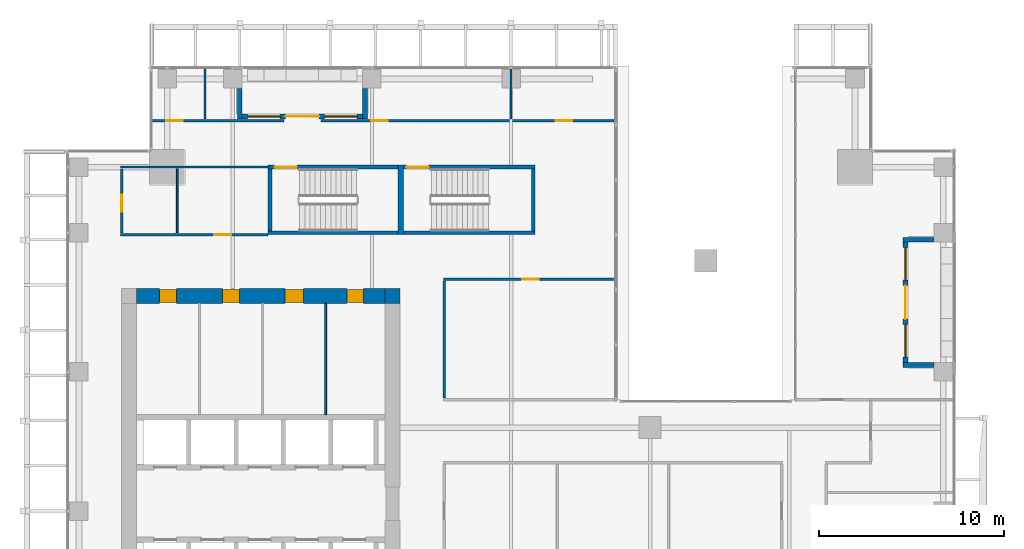
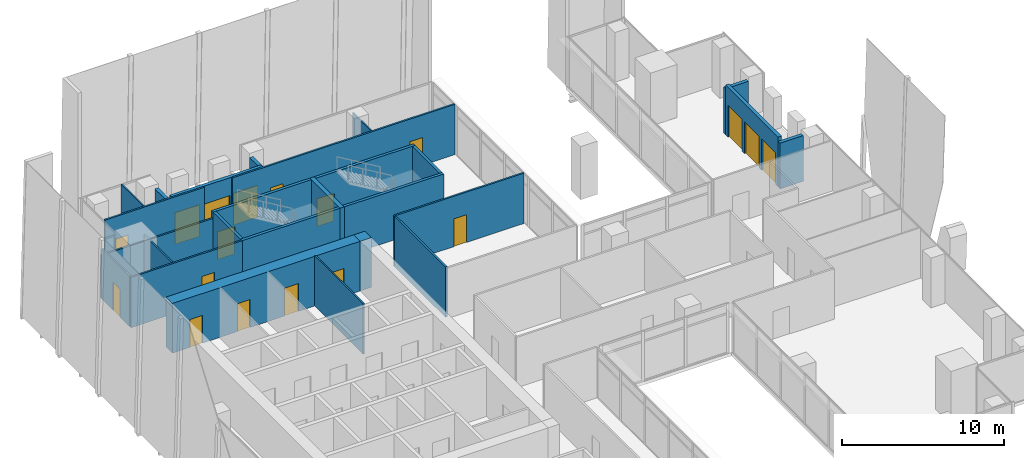
# One storey, part 35 of 40: 26 walls, 14 doors, 4 windows, 18 openings.
"""IFC4 building model written with IfcOpenShell, lengths in metres."""

from ifc_helpers import new_model, si_unit, direction, frame, frame_2d, origin, place, context, subcontext, project, spatial, rectangle, extrude, source, transform, mapped, material, layer, layer_set, type_object, element, fill, save


model = new_model("IFC4")

# Units and contexts
model_context = context("Model", 3, precision=1e-05, world=origin(), true_north=direction((0.0, 1.0)))
body_context = subcontext(model_context, "Body", "Model", "MODEL_VIEW")
ifc_project = project(units=[si_unit("LENGTHUNIT", "METRE"), si_unit("AREAUNIT", "SQUARE_METRE"), si_unit("VOLUMEUNIT", "CUBIC_METRE"), si_unit("PLANEANGLEUNIT", "RADIAN"), si_unit("MASSUNIT", "GRAM", prefix="KILO")], contexts=[model_context])

# Site, building, storey
site_placement = place(None, origin())
site = spatial("IfcSite", under=ifc_project, at=site_placement, CompositionType="ELEMENT")
building_placement = place(site_placement, origin())
building = spatial("IfcBuilding", under=site, at=building_placement, Name="Khomas Fold Tower", CompositionType="ELEMENT")
storey_placement = place(building_placement, frame((0.0, 0.0, 176.699951171875)))
storey = spatial("IfcBuildingStorey", under=building, at=storey_placement, Name="L38", CompositionType="ELEMENT", Elevation=176.699951171875)

# Wall, openings, doors
ifc_material_1 = material(Name="Concrete C60/75", Category="concrete")
ifc_layer_1 = layer(ifc_material_1, 0.800048828125)
ifc_layer_set_1 = layer_set([ifc_layer_1], Name="Concrete C60/75")
wall_type_1 = type_object("IfcWallType", Name="Core wall 800", PredefinedType="SHEAR", material=ifc_layer_set_1)
shared_shape_1 = source(origin(), body_context, "Body", "SweptSolid", [
    extrude(rectangle(XDim=13.39990234375, YDim=0.800048828125, at=frame_2d((6.699951171875, 0.0))), origin(), (0.0, 0.0, 1.0), 3.75),
])
wall_1_placement = place(storey_placement, frame((6.800048828125, 38.60009765625, 0.0), z_axis=(0.0, 0.0, 1.0), x_axis=(1.0, 0.0, 0.0)))
wall_1 = element("IfcWall", 1, at=wall_1_placement, inside=storey, type_object=wall_type_1, Name="Core wall CW-U-N-L35", PredefinedType="SHEAR", context=body_context, shape_type="MappedRepresentation", body=[
    mapped(shared_shape_1, transform((0.0, 0.0, 0.0))),
])
shared_shape_2 = source(origin(), body_context, "Body", "SweptSolid", [
    extrude(rectangle(XDim=0.89990234375, YDim=2.10009765625, at=frame_2d((0.449951171875, 1.050048828125))), frame((0.0, 0.409912109375, 0.0), z_axis=(0.0, -1.0, 0.0), x_axis=(1.0, 0.0, 0.0)), (0.0, 0.0, 1.0), 0.820068359375),
])
opening_1_placement = place(wall_1_placement, frame((1.25, 0.0, 0.0)))
opening_1 = element("IfcOpeningElement", 2, at=opening_1_placement, cuts=wall_1, Name="Opening 0004", PredefinedType="OPENING", context=body_context, shape_type="MappedRepresentation", body=[
    mapped(shared_shape_2, transform((0.0, 0.0, 0.0))),
])
opening_2_placement = place(wall_1_placement, frame((4.64990234375, 0.0, 0.0)))
opening_2 = element("IfcOpeningElement", 3, at=opening_2_placement, cuts=wall_1, Name="Opening 0004", PredefinedType="OPENING", context=body_context, shape_type="MappedRepresentation", body=[
    mapped(shared_shape_2, transform((0.0, 0.0, 0.0))),
])
shared_shape_3 = source(origin(), body_context, "Body", "SweptSolid", [
    extrude(rectangle(XDim=1.0, YDim=2.10009765625, at=frame_2d((0.5, 1.050048828125))), frame((0.0, 0.409912109375, 0.0), z_axis=(0.0, -1.0, 0.0), x_axis=(1.0, 0.0, 0.0)), (0.0, 0.0, 1.0), 0.820068359375),
])
opening_3_placement = place(wall_1_placement, frame((8.0, 0.0, 0.0)))
opening_3 = element("IfcOpeningElement", 4, at=opening_3_placement, cuts=wall_1, Name="Opening 0006", PredefinedType="OPENING", context=body_context, shape_type="MappedRepresentation", body=[
    mapped(shared_shape_3, transform((0.0, 0.0, 0.0))),
])
opening_4_placement = place(wall_1_placement, frame((11.35009765625, 0.0, 0.0)))
opening_4 = element("IfcOpeningElement", 5, at=opening_4_placement, cuts=wall_1, Name="Opening 0008", PredefinedType="OPENING", context=body_context, shape_type="MappedRepresentation", body=[
    mapped(shared_shape_2, transform((0.0, 0.0, 0.0))),
])
ifc_material_2 = material(Name="Timber door leaf", Category="wood")
door_type_1 = type_object("IfcDoorType", Name="WC door 900x2100 right-hand", OperationType="SINGLE_SWING_RIGHT", PredefinedType="DOOR", material=ifc_material_2)
shared_shape_4 = source(origin(), body_context, "Body", "SweptSolid", [
    extrude(rectangle(XDim=0.89990234375, YDim=2.10009765625, at=frame_2d((0.449951171875, 1.050048828125))), frame((0.0, 0.35009765625, 0.0), z_axis=(0.0, -1.0, 0.0), x_axis=(1.0, 0.0, 0.0)), (0.0, 0.0, 1.0), 0.699951171875),
])
door_1_placement = place(opening_1_placement, origin())
door_1 = element("IfcDoor", 6, at=door_1_placement, inside=storey, type_object=door_type_1, Name="WC door", OperationType="SINGLE_SWING_RIGHT", OverallHeight=2.10009765625, OverallWidth=0.89990234375, PredefinedType="DOOR", context=body_context, shape_type="MappedRepresentation", body=[
    mapped(shared_shape_4, transform((0.0, 0.0, 0.0))),
])
fill(opening_1, door_1)
door_2_placement = place(opening_2_placement, origin())
door_2 = element("IfcDoor", 7, at=door_2_placement, inside=storey, type_object=door_type_1, Name="WC door", OperationType="SINGLE_SWING_RIGHT", OverallHeight=2.10009765625, OverallWidth=0.89990234375, PredefinedType="DOOR", context=body_context, shape_type="MappedRepresentation", body=[
    mapped(shared_shape_4, transform((0.0, 0.0, 0.0))),
])
fill(opening_2, door_2)
ifc_material_3 = material(Name="Timber door leaf", Category="wood")
door_type_2 = type_object("IfcDoorType", Name="Door 900x2100 right-hand", OperationType="SINGLE_SWING_RIGHT", PredefinedType="DOOR", material=ifc_material_3)
door_3_placement = place(opening_4_placement, origin())
door_3 = element("IfcDoor", 8, at=door_3_placement, inside=storey, type_object=door_type_2, Name="Door", OperationType="SINGLE_SWING_RIGHT", OverallHeight=2.10009765625, OverallWidth=0.89990234375, PredefinedType="DOOR", context=body_context, shape_type="MappedRepresentation", body=[
    mapped(shared_shape_4, transform((0.0, 0.0, 0.0))),
])
fill(opening_4, door_3)
ifc_material_4 = material(Name="Timber door leaf", Category="wood")
door_type_3 = type_object("IfcDoorType", Name="WC door 1000x2100 right-hand", OperationType="SINGLE_SWING_RIGHT", PredefinedType="DOOR", material=ifc_material_4)
shared_shape_5 = source(origin(), body_context, "Body", "SweptSolid", [
    extrude(rectangle(XDim=1.0, YDim=2.10009765625, at=frame_2d((0.5, 1.050048828125))), frame((0.0, 0.35009765625, 0.0), z_axis=(0.0, -1.0, 0.0), x_axis=(1.0, 0.0, 0.0)), (0.0, 0.0, 1.0), 0.699951171875),
])
door_4_placement = place(opening_3_placement, origin())
door_4 = element("IfcDoor", 9, at=door_4_placement, inside=storey, type_object=door_type_3, Name="WC door", OperationType="SINGLE_SWING_RIGHT", OverallHeight=2.10009765625, OverallWidth=1.0, PredefinedType="DOOR", context=body_context, shape_type="MappedRepresentation", body=[
    mapped(shared_shape_5, transform((0.0, 0.0, 0.0))),
])
fill(opening_3, door_4)

# Wall
ifc_material_5 = material(Name="Concrete C60/75", Category="concrete")
ifc_layer_2 = layer(ifc_material_5, 0.800048828125)
ifc_layer_set_2 = layer_set([ifc_layer_2], Name="Concrete C60/75")
wall_type_2 = type_object("IfcWallType", Name="Core corner wall 800", PredefinedType="SHEAR", material=ifc_layer_set_2)
shared_shape_6 = source(origin(), body_context, "Body", "SweptSolid", [
    extrude(rectangle(XDim=0.800048828125, YDim=0.800048828125, at=frame_2d((0.39990234375, 0.0))), origin(), (0.0, 0.0, 1.0), 3.75),
])
wall_2_placement = place(storey_placement, frame((20.199951171875, 38.60009765625, 0.0), z_axis=(0.0, 0.0, 1.0), x_axis=(1.0, 0.0, 0.0)))
element("IfcWall", 10, at=wall_2_placement, inside=storey, type_object=wall_type_2, Name="Core wall CW-U-NE-L35", PredefinedType="SHEAR", context=body_context, shape_type="MappedRepresentation", body=[
    mapped(shared_shape_6, transform((0.0, 0.0, 0.0))),
])

# Wall, opening, door
ifc_material_6 = material(Name="Concrete C50/60", Category="concrete")
ifc_layer_3 = layer(ifc_material_6, 0.199951171875)
ifc_layer_set_3 = layer_set([ifc_layer_3], Name="Concrete C50/60")
wall_type_3 = type_object("IfcWallType", Name="Stair wall 200", PredefinedType="SHEAR", material=ifc_layer_set_3)
shared_shape_7 = source(origin(), body_context, "Body", "SweptSolid", [
    extrude(rectangle(XDim=7.0, YDim=0.199951171875, at=frame_2d((3.5, 0.0))), origin(), (0.0, 0.0, 1.0), 3.75),
])
wall_3_placement = place(storey_placement, frame((13.89990234375, 45.550048828125, 0.0), z_axis=(0.0, 0.0, 1.0), x_axis=(1.0, 0.0, 0.0)))
wall_3 = element("IfcWall", 11, at=wall_3_placement, inside=storey, type_object=wall_type_3, Name="Stair wall SW-ST1-N", PredefinedType="SHEAR", context=body_context, shape_type="MappedRepresentation", body=[
    mapped(shared_shape_7, transform((0.0, 0.0, 0.0))),
])
shared_shape_8 = source(origin(), body_context, "Body", "SweptSolid", [
    extrude(rectangle(XDim=1.199951171875, YDim=2.10009765625, at=frame_2d((0.60009765625, 1.050048828125))), frame((0.0, 0.10986328125, 0.0), z_axis=(0.0, -1.0, 0.0), x_axis=(1.0, 0.0, 0.0)), (0.0, 0.0, 1.0), 0.219970703125),
])
opening_5_placement = place(wall_3_placement, frame((0.35009765625, 0.0, 0.0)))
opening_5 = element("IfcOpeningElement", 12, at=opening_5_placement, cuts=wall_3, Name="Opening SD-ST1", PredefinedType="OPENING", context=body_context, shape_type="MappedRepresentation", body=[
    mapped(shared_shape_8, transform((0.0, 0.0, 0.0))),
])
ifc_material_7 = material(Name="Steel door leaf", Category="steel")
door_type_4 = type_object("IfcDoorType", Name="Stair door 1200x2100 left-hand", OperationType="SINGLE_SWING_LEFT", PredefinedType="DOOR", material=ifc_material_7)
shared_shape_9 = source(origin(), body_context, "Body", "SweptSolid", [
    extrude(rectangle(XDim=1.199951171875, YDim=2.10009765625, at=frame_2d((0.60009765625, 1.050048828125))), frame((0.0, 0.02490234375, 0.0), z_axis=(0.0, -1.0, 0.0), x_axis=(1.0, 0.0, 0.0)), (0.0, 0.0, 1.0), 0.050048828125),
])
door_5_placement = place(opening_5_placement, origin())
door_5 = element("IfcDoor", 13, at=door_5_placement, inside=storey, type_object=door_type_4, Name="Stair door", OperationType="SINGLE_SWING_LEFT", OverallHeight=2.10009765625, OverallWidth=1.199951171875, PredefinedType="DOOR", context=body_context, shape_type="MappedRepresentation", body=[
    mapped(shared_shape_9, transform((0.0, 0.0, 0.0))),
])
fill(opening_5, door_5)

# Wall
wall_4_placement = place(storey_placement, frame((13.89990234375, 42.0, 0.0), z_axis=(0.0, 0.0, 1.0), x_axis=(1.0, 0.0, 0.0)))
element("IfcWall", 14, at=wall_4_placement, inside=storey, type_object=wall_type_3, Name="Stair wall SW-ST1-S", PredefinedType="SHEAR", context=body_context, shape_type="MappedRepresentation", body=[
    mapped(shared_shape_7, transform((0.0, 0.0, 0.0))),
])

# Wall, opening, door
shared_shape_10 = source(origin(), body_context, "Body", "SweptSolid", [
    extrude(rectangle(XDim=7.10009765625, YDim=0.199951171875, at=frame_2d((3.550048828125, 0.0))), origin(), (0.0, 0.0, 1.0), 3.75),
])
wall_5_placement = place(storey_placement, frame((21.199951171875, 45.550048828125, 0.0), z_axis=(0.0, 0.0, 1.0), x_axis=(1.0, 0.0, 0.0)))
wall_5 = element("IfcWall", 15, at=wall_5_placement, inside=storey, type_object=wall_type_3, Name="Stair wall SW-ST3-N", PredefinedType="SHEAR", context=body_context, shape_type="MappedRepresentation", body=[
    mapped(shared_shape_10, transform((0.0, 0.0, 0.0))),
])
opening_6_placement = place(wall_5_placement, frame((0.14990234375, 0.0, 0.0)))
opening_6 = element("IfcOpeningElement", 16, at=opening_6_placement, cuts=wall_5, Name="Opening SD-ST3", PredefinedType="OPENING", context=body_context, shape_type="MappedRepresentation", body=[
    mapped(shared_shape_8, transform((0.0, 0.0, 0.0))),
])
door_6_placement = place(opening_6_placement, origin())
door_6 = element("IfcDoor", 17, at=door_6_placement, inside=storey, type_object=door_type_4, Name="Stair door", OperationType="SINGLE_SWING_LEFT", OverallHeight=2.10009765625, OverallWidth=1.199951171875, PredefinedType="DOOR", context=body_context, shape_type="MappedRepresentation", body=[
    mapped(shared_shape_9, transform((0.0, 0.0, 0.0))),
])
fill(opening_6, door_6)

# Walls
wall_6_placement = place(storey_placement, frame((21.199951171875, 42.0, 0.0), z_axis=(0.0, 0.0, 1.0), x_axis=(1.0, 0.0, 0.0)))
element("IfcWall", 18, at=wall_6_placement, inside=storey, type_object=wall_type_3, Name="Stair wall SW-ST3-S", PredefinedType="SHEAR", context=body_context, shape_type="MappedRepresentation", body=[
    mapped(shared_shape_10, transform((0.0, 0.0, 0.0))),
])
ifc_material_8 = material(Name="Concrete C50/60", Category="concrete")
ifc_layer_4 = layer(ifc_material_8, 0.300048828125)
ifc_layer_set_4 = layer_set([ifc_layer_4], Name="Concrete C50/60")
wall_type_4 = type_object("IfcWallType", Name="Stair wall 300", PredefinedType="SHEAR", material=ifc_layer_set_4)
shared_shape_11 = source(origin(), body_context, "Body", "SweptSolid", [
    extrude(rectangle(XDim=3.75, YDim=0.300048828125, at=frame_2d((1.875, 0.0))), origin(), (0.0, 0.0, 1.0), 3.75),
])
wall_7_placement = place(storey_placement, frame((21.050048828125, 41.89990234375, 0.0), z_axis=(0.0, 0.0, 1.0), x_axis=(0.0, 1.0, 0.0)))
element("IfcWall", 19, at=wall_7_placement, inside=storey, type_object=wall_type_4, Name="Stair wall SW-ST1-E", PredefinedType="SHEAR", context=body_context, shape_type="MappedRepresentation", body=[
    mapped(shared_shape_11, transform((0.0, 0.0, 0.0))),
])
shared_shape_12 = source(origin(), body_context, "Body", "SweptSolid", [
    extrude(rectangle(XDim=3.349853515625, YDim=0.199951171875, at=frame_2d((1.6748046875, 0.0))), origin(), (0.0, 0.0, 1.0), 3.75),
])
for number, where, z_axis, x_axis, name in (
    (20, (14.0, 42.10009765625, 0.0), (0.0, 0.0, 1.0), (0.0, 1.0, 0.0), "Stair wall SW-ST1-W"),
    (21, (28.199951171875, 42.10009765625, 0.0), (0.0, 0.0, 1.0), (0.0, 1.0, 0.0), "Stair wall SW-ST3-E"),
):
    element("IfcWall", number, at=place(storey_placement, frame(where, z_axis=z_axis, x_axis=x_axis)), inside=storey, type_object=wall_type_3, Name=name, PredefinedType="SHEAR", context=body_context, shape_type="MappedRepresentation", body=[
        mapped(shared_shape_12, transform((0.0, 0.0, 0.0))),
    ])

# Wall, openings, door, windows
ifc_material_9 = material(Name="Natural stone", Category="masonry")
ifc_layer_5 = layer(ifc_material_9, 0.0400390625)
ifc_material_10 = material(Name="Mineral wool insulation", Category="insulation")
ifc_layer_6 = layer(ifc_material_10, 0.10009765625)
ifc_material_11 = material(Name="Masonry", Category="masonry")
ifc_layer_7 = layer(ifc_material_11, 0.110107421875)
ifc_layer_set_5 = layer_set([ifc_layer_5, ifc_layer_6, ifc_layer_7], Name="Stone-faced insulated masonry")
wall_type_5 = type_object("IfcWallType", Name="BL-Balcony wall", PredefinedType="SOLIDWALL", material=ifc_layer_set_5)
shared_shape_13 = source(origin(), body_context, "Body", "SweptSolid", [
    extrude(rectangle(XDim=6.5, YDim=0.25, at=frame_2d((3.25, 0.0))), origin(), (0.0, 0.0, 1.0), 3.75),
])
wall_8_placement = place(storey_placement, frame((48.27490234375, 35.0, 0.0), z_axis=(0.0, 0.0, 1.0), x_axis=(0.0, 1.0, 0.0)))
wall_8 = element("IfcWall", 22, at=wall_8_placement, inside=storey, type_object=wall_type_5, Name="Balcony wall BAL-L38-E4", PredefinedType="SOLIDWALL", context=body_context, shape_type="MappedRepresentation", body=[
    mapped(shared_shape_13, transform((0.0, 0.0, 0.0))),
])
shared_shape_14 = source(origin(), body_context, "Body", "SweptSolid", [
    extrude(rectangle(XDim=1.75, YDim=2.39990234375, at=frame_2d((0.875, 1.199951171875))), frame((0.0, 0.135009765625, 0.0), z_axis=(0.0, -1.0, 0.0), x_axis=(1.0, 0.0, 0.0)), (0.0, 0.0, 1.0), 0.27001953125),
])
opening_7_placement = place(wall_8_placement, frame((0.300048828125, 0.0, 0.0)))
opening_7 = element("IfcOpeningElement", 23, at=opening_7_placement, cuts=wall_8, Name="Opening BL-W3", PredefinedType="OPENING", context=body_context, shape_type="MappedRepresentation", body=[
    mapped(shared_shape_14, transform((0.0, 0.0, 0.0))),
])
opening_8_placement = place(wall_8_placement, frame((4.449951171875, 0.0, 0.0)))
opening_8 = element("IfcOpeningElement", 24, at=opening_8_placement, cuts=wall_8, Name="Opening BL-W3", PredefinedType="OPENING", context=body_context, shape_type="MappedRepresentation", body=[
    mapped(shared_shape_14, transform((0.0, 0.0, 0.0))),
])
shared_shape_15 = source(origin(), body_context, "Body", "SweptSolid", [
    extrude(rectangle(XDim=1.800048828125, YDim=2.39990234375, at=frame_2d((0.89990234375, 1.199951171875))), frame((0.0, 0.135009765625, 0.0), z_axis=(0.0, -1.0, 0.0), x_axis=(1.0, 0.0, 0.0)), (0.0, 0.0, 1.0), 0.27001953125),
])
opening_9_placement = place(wall_8_placement, frame((2.35009765625, 0.0, 0.0)))
opening_9 = element("IfcOpeningElement", 25, at=opening_9_placement, cuts=wall_8, Name="Opening BD381", PredefinedType="OPENING", context=body_context, shape_type="MappedRepresentation", body=[
    mapped(shared_shape_15, transform((0.0, 0.0, 0.0))),
])
ifc_material_12 = material(Name="Aluminium framed double glazing", Category="aluminium")
door_type_5 = type_object("IfcDoorType", Name="BL-Glazed balcony door 1800 x 2400", OperationType="DOUBLE_DOOR_DOUBLE_SWING", PredefinedType="DOOR", material=ifc_material_12)
shared_shape_16 = source(origin(), body_context, "Body", "SweptSolid", [
    extrude(rectangle(XDim=1.800048828125, YDim=2.39990234375, at=frame_2d((0.89990234375, 1.199951171875))), frame((0.0, 0.02490234375, 0.0), z_axis=(0.0, -1.0, 0.0), x_axis=(1.0, 0.0, 0.0)), (0.0, 0.0, 1.0), 0.050048828125),
])
door_7_placement = place(opening_9_placement, origin())
door_7 = element("IfcDoor", 26, at=door_7_placement, inside=storey, type_object=door_type_5, Name="Balcony door BD381", OperationType="DOUBLE_DOOR_DOUBLE_SWING", OverallHeight=2.39990234375, OverallWidth=1.800048828125, PredefinedType="DOOR", context=body_context, shape_type="MappedRepresentation", body=[
    mapped(shared_shape_16, transform((0.0, 0.0, 0.0))),
])
fill(opening_9, door_7)
ifc_material_13 = material(Name="Aluminium framed double glazing", Category="aluminium")
window_type = type_object("IfcWindowType", Name="BL-Fixed glazing 1750 x 2400", PartitioningType="SINGLE_PANEL", PredefinedType="WINDOW", material=ifc_material_13)
shared_shape_17 = source(origin(), body_context, "Body", "SweptSolid", [
    extrude(rectangle(XDim=1.75, YDim=2.39990234375, at=frame_2d((0.875, 1.199951171875))), frame((0.0, 0.030029296875, 0.0), z_axis=(0.0, -1.0, 0.0), x_axis=(1.0, 0.0, 0.0)), (0.0, 0.0, 1.0), 0.06005859375),
])
window_1_placement = place(opening_7_placement, origin())
window_1 = element("IfcWindow", 27, at=window_1_placement, inside=storey, type_object=window_type, Name="Balcony glazing BAL-L38-E4-1", OverallHeight=2.39990234375, OverallWidth=1.75, PartitioningType="SINGLE_PANEL", PredefinedType="WINDOW", context=body_context, shape_type="MappedRepresentation", body=[
    mapped(shared_shape_17, transform((0.0, 0.0, 0.0))),
])
fill(opening_7, window_1)
window_2_placement = place(opening_8_placement, origin())
window_2 = element("IfcWindow", 28, at=window_2_placement, inside=storey, type_object=window_type, Name="Balcony glazing BAL-L38-E4-2", OverallHeight=2.39990234375, OverallWidth=1.75, PartitioningType="SINGLE_PANEL", PredefinedType="WINDOW", context=body_context, shape_type="MappedRepresentation", body=[
    mapped(shared_shape_17, transform((0.0, 0.0, 0.0))),
])
fill(opening_8, window_2)

wall_9_placement = place(storey_placement, frame((12.5, 48.27490234375, 0.0), z_axis=(0.0, 0.0, 1.0), x_axis=(1.0, 0.0, 0.0)))
wall_9 = element("IfcWall", 29, at=wall_9_placement, inside=storey, type_object=wall_type_5, Name="Balcony wall BAL-L38-N1", PredefinedType="SOLIDWALL", context=body_context, shape_type="MappedRepresentation", body=[
    mapped(shared_shape_13, transform((0.0, 0.0, 0.0))),
])
opening_10_placement = place(wall_9_placement, frame((0.300048828125, 0.0, 0.0)))
opening_10 = element("IfcOpeningElement", 30, at=opening_10_placement, cuts=wall_9, Name="Opening BL-W3", PredefinedType="OPENING", context=body_context, shape_type="MappedRepresentation", body=[
    mapped(shared_shape_14, transform((0.0, 0.0, 0.0))),
])
opening_11_placement = place(wall_9_placement, frame((4.449951171875, 0.0, 0.0)))
opening_11 = element("IfcOpeningElement", 31, at=opening_11_placement, cuts=wall_9, Name="Opening BL-W3", PredefinedType="OPENING", context=body_context, shape_type="MappedRepresentation", body=[
    mapped(shared_shape_14, transform((0.0, 0.0, 0.0))),
])
opening_12_placement = place(wall_9_placement, frame((2.35009765625, 0.0, 0.0)))
opening_12 = element("IfcOpeningElement", 32, at=opening_12_placement, cuts=wall_9, Name="Opening BD382", PredefinedType="OPENING", context=body_context, shape_type="MappedRepresentation", body=[
    mapped(shared_shape_15, transform((0.0, 0.0, 0.0))),
])
door_8_placement = place(opening_12_placement, origin())
door_8 = element("IfcDoor", 33, at=door_8_placement, inside=storey, type_object=door_type_5, Name="Balcony door BD382", OperationType="DOUBLE_DOOR_DOUBLE_SWING", OverallHeight=2.39990234375, OverallWidth=1.800048828125, PredefinedType="DOOR", context=body_context, shape_type="MappedRepresentation", body=[
    mapped(shared_shape_16, transform((0.0, 0.0, 0.0))),
])
fill(opening_12, door_8)
window_3_placement = place(opening_10_placement, origin())
window_3 = element("IfcWindow", 34, at=window_3_placement, inside=storey, type_object=window_type, Name="Balcony glazing BAL-L38-N1-1", OverallHeight=2.39990234375, OverallWidth=1.75, PartitioningType="SINGLE_PANEL", PredefinedType="WINDOW", context=body_context, shape_type="MappedRepresentation", body=[
    mapped(shared_shape_17, transform((0.0, 0.0, 0.0))),
])
fill(opening_10, window_3)
window_4_placement = place(opening_11_placement, origin())
window_4 = element("IfcWindow", 35, at=window_4_placement, inside=storey, type_object=window_type, Name="Balcony glazing BAL-L38-N1-2", OverallHeight=2.39990234375, OverallWidth=1.75, PartitioningType="SINGLE_PANEL", PredefinedType="WINDOW", context=body_context, shape_type="MappedRepresentation", body=[
    mapped(shared_shape_17, transform((0.0, 0.0, 0.0))),
])
fill(opening_11, window_4)

# Walls
shared_shape_18 = source(origin(), body_context, "Body", "SweptSolid", [
    extrude(rectangle(XDim=1.650146484375, YDim=0.25, at=frame_2d((0.8251953125, 0.0))), origin(), (0.0, 0.0, 1.0), 3.449951171875),
])
for number, where, z_axis, x_axis, name in (
    (36, (49.800048828125, 34.875, 0.0), (0.0, 0.0, 1.0), (-1.0, 0.0, 0.0), "Balcony return wall BAL-L38-E4-lo"),
    (37, (49.800048828125, 41.625, 0.0), (0.0, 0.0, 1.0), (-1.0, 0.0, 0.0), "Balcony return wall BAL-L38-E4-hi"),
    (38, (12.375, 49.800048828125, 0.0), (0.0, 0.0, 1.0), (0.0, -1.0, 0.0), "Balcony return wall BAL-L38-N1-lo"),
    (39, (19.125, 49.800048828125, 0.0), (0.0, 0.0, 1.0), (0.0, -1.0, 0.0), "Balcony return wall BAL-L38-N1-hi"),
):
    element("IfcWall", number, at=place(storey_placement, frame(where, z_axis=z_axis, x_axis=x_axis)), inside=storey, type_object=wall_type_5, Name=name, PredefinedType="SOLIDWALL", context=body_context, shape_type="MappedRepresentation", body=[
        mapped(shared_shape_18, transform((0.0, 0.0, 0.0))),
    ])
ifc_material_14 = material(Name="Plasterboard partition")
ifc_layer_8 = layer(ifc_material_14, 0.125)
ifc_layer_set_6 = layer_set([ifc_layer_8], Name="Plasterboard partition")
wall_type_6 = type_object("IfcWallType", Name="Partition PW2 125", PredefinedType="PARTITIONING", material=ifc_layer_set_6)
shared_shape_19 = source(origin(), body_context, "Body", "SweptSolid", [
    extrude(rectangle(XDim=7.949951171875, YDim=0.125, at=frame_2d((3.97509765625, 0.0))), origin(), (0.0, 0.0, 1.0), 3.25),
])
wall_10_placement = place(storey_placement, frame((5.949951171875, 45.550048828125, 0.0), z_axis=(0.0, 0.0, 1.0), x_axis=(1.0, 0.0, 0.0)))
element("IfcWall", 40, at=wall_10_placement, inside=storey, type_object=wall_type_6, Name="Partition", PredefinedType="PARTITIONING", context=body_context, shape_type="MappedRepresentation", body=[
    mapped(shared_shape_19, transform((0.0, 0.0, 0.0))),
])
ifc_material_15 = material(Name="Plasterboard partition")
ifc_layer_9 = layer(ifc_material_15, 0.10009765625)
ifc_layer_set_7 = layer_set([ifc_layer_9], Name="Plasterboard partition")
wall_type_7 = type_object("IfcWallType", Name="Partition PW1 100", PredefinedType="PARTITIONING", material=ifc_layer_set_7)
shared_shape_20 = source(origin(), body_context, "Body", "SweptSolid", [
    extrude(rectangle(XDim=6.0, YDim=0.10009765625, at=frame_2d((3.0, 0.0))), origin(), (0.0, 0.0, 1.0), 3.800048828125),
])
wall_11_placement = place(storey_placement, frame((17.0, 32.199951171875, 0.0), z_axis=(0.0, 0.0, 1.0), x_axis=(0.0, 1.0, 0.0)))
element("IfcWall", 41, at=wall_11_placement, inside=storey, type_object=wall_type_7, Name="Partition", PredefinedType="PARTITIONING", context=body_context, shape_type="MappedRepresentation", body=[
    mapped(shared_shape_20, transform((0.0, 0.0, 0.0))),
])
shared_shape_21 = source(origin(), body_context, "Body", "SweptSolid", [
    extrude(rectangle(XDim=6.2998046875, YDim=0.125, at=frame_2d((3.14990234375, 0.0))), origin(), (0.0, 0.0, 1.0), 3.800048828125),
])
wall_12_placement = place(storey_placement, frame((23.39990234375, 33.10009765625, 0.0), z_axis=(0.0, 0.0, 1.0), x_axis=(0.0, 1.0, 0.0)))
element("IfcWall", 42, at=wall_12_placement, inside=storey, type_object=wall_type_6, Name="Partition", PredefinedType="PARTITIONING", context=body_context, shape_type="MappedRepresentation", body=[
    mapped(shared_shape_21, transform((0.0, 0.0, 0.0))),
])

# Wall, opening, door
shared_shape_22 = source(origin(), body_context, "Body", "SweptSolid", [
    extrude(rectangle(XDim=7.949951171875, YDim=0.125, at=frame_2d((3.97509765625, 0.0))), origin(), (0.0, 0.0, 1.0), 3.800048828125),
])
wall_13_placement = place(storey_placement, frame((5.949951171875, 41.89990234375, 0.0), z_axis=(0.0, 0.0, 1.0), x_axis=(1.0, 0.0, 0.0)))
wall_13 = element("IfcWall", 43, at=wall_13_placement, inside=storey, type_object=wall_type_6, Name="Partition", PredefinedType="PARTITIONING", context=body_context, shape_type="MappedRepresentation", body=[
    mapped(shared_shape_22, transform((0.0, 0.0, 0.0))),
])
shared_shape_23 = source(origin(), body_context, "Body", "SweptSolid", [
    extrude(rectangle(XDim=0.89990234375, YDim=2.10009765625, at=frame_2d((0.449951171875, 1.050048828125))), frame((0.0, 0.072509765625, 0.0), z_axis=(0.0, -1.0, 0.0), x_axis=(1.0, 0.0, 0.0)), (0.0, 0.0, 1.0), 0.14501953125),
])
opening_13_placement = place(wall_13_placement, frame((5.050048828125, 0.0, 0.0)))
opening_13 = element("IfcOpeningElement", 44, at=opening_13_placement, cuts=wall_13, Name="Opening 0007", PredefinedType="OPENING", context=body_context, shape_type="MappedRepresentation", body=[
    mapped(shared_shape_23, transform((0.0, 0.0, 0.0))),
])
ifc_material_16 = material(Name="Timber door leaf", Category="wood")
door_type_6 = type_object("IfcDoorType", Name="Door 900x2100 left-hand", OperationType="SINGLE_SWING_LEFT", PredefinedType="DOOR", material=ifc_material_16)
shared_shape_24 = source(origin(), body_context, "Body", "SweptSolid", [
    extrude(rectangle(XDim=0.89990234375, YDim=2.10009765625, at=frame_2d((0.449951171875, 1.050048828125))), frame((0.0, 0.02490234375, 0.0), z_axis=(0.0, -1.0, 0.0), x_axis=(1.0, 0.0, 0.0)), (0.0, 0.0, 1.0), 0.050048828125),
])
door_9_placement = place(opening_13_placement, origin())
door_9 = element("IfcDoor", 45, at=door_9_placement, inside=storey, type_object=door_type_6, Name="Door", OperationType="SINGLE_SWING_LEFT", OverallHeight=2.10009765625, OverallWidth=0.89990234375, PredefinedType="DOOR", context=body_context, shape_type="MappedRepresentation", body=[
    mapped(shared_shape_24, transform((0.0, 0.0, 0.0))),
])
fill(opening_13, door_9)

shared_shape_25 = source(origin(), body_context, "Body", "SweptSolid", [
    extrude(rectangle(XDim=3.449951171875, YDim=0.125, at=frame_2d((1.72509765625, 0.0))), origin(), (0.0, 0.0, 1.0), 3.800048828125),
])
wall_14_placement = place(storey_placement, frame((6.0, 42.0, 0.0), z_axis=(0.0, 0.0, 1.0), x_axis=(0.0, 1.0, 0.0)))
wall_14 = element("IfcWall", 46, at=wall_14_placement, inside=storey, type_object=wall_type_6, Name="Partition", PredefinedType="PARTITIONING", context=body_context, shape_type="MappedRepresentation", body=[
    mapped(shared_shape_25, transform((0.0, 0.0, 0.0))),
])
opening_14_placement = place(wall_14_placement, frame((1.14990234375, 0.0, 0.0)))
opening_14 = element("IfcOpeningElement", 47, at=opening_14_placement, cuts=wall_14, Name="Opening 0007", PredefinedType="OPENING", context=body_context, shape_type="MappedRepresentation", body=[
    mapped(shared_shape_23, transform((0.0, 0.0, 0.0))),
])
door_10_placement = place(opening_14_placement, origin())
door_10 = element("IfcDoor", 48, at=door_10_placement, inside=storey, type_object=door_type_6, Name="Door", OperationType="SINGLE_SWING_LEFT", OverallHeight=2.10009765625, OverallWidth=0.89990234375, PredefinedType="DOOR", context=body_context, shape_type="MappedRepresentation", body=[
    mapped(shared_shape_24, transform((0.0, 0.0, 0.0))),
])
fill(opening_14, door_10)

# Walls
shared_shape_26 = source(origin(), body_context, "Body", "SweptSolid", [
    extrude(rectangle(XDim=3.449951171875, YDim=0.10009765625, at=frame_2d((1.72509765625, 0.0))), origin(), (0.0, 0.0, 1.0), 3.800048828125),
])
wall_15_placement = place(storey_placement, frame((9.0, 42.0, 0.0), z_axis=(0.0, 0.0, 1.0), x_axis=(0.0, 1.0, 0.0)))
element("IfcWall", 49, at=wall_15_placement, inside=storey, type_object=wall_type_7, Name="Partition", PredefinedType="PARTITIONING", context=body_context, shape_type="MappedRepresentation", body=[
    mapped(shared_shape_26, transform((0.0, 0.0, 0.0))),
])
shared_shape_27 = source(origin(), body_context, "Body", "SweptSolid", [
    extrude(rectangle(XDim=2.7001953125, YDim=0.10009765625, at=frame_2d((1.35009765625, 0.0))), origin(), (0.0, 0.0, 1.0), 3.420166015625),
])
wall_16_placement = place(storey_placement, frame((27.0, 48.14990234375, 0.0), z_axis=(0.0, 0.0, 1.0), x_axis=(0.0, 1.0, 0.0)))
element("IfcWall", 50, at=wall_16_placement, inside=storey, type_object=wall_type_7, Name="Partition", PredefinedType="PARTITIONING", context=body_context, shape_type="MappedRepresentation", body=[
    mapped(shared_shape_27, transform((0.0, 0.0, 0.0))),
])

# Wall, opening, door
shared_shape_28 = source(origin(), body_context, "Body", "SweptSolid", [
    extrude(rectangle(XDim=9.25, YDim=0.125, at=frame_2d((4.625, 0.0))), origin(), (0.0, 0.0, 1.0), 3.800048828125),
])
wall_17_placement = place(storey_placement, frame((23.35009765625, 39.5, 0.0), z_axis=(0.0, 0.0, 1.0), x_axis=(1.0, 0.0, 0.0)))
wall_17 = element("IfcWall", 51, at=wall_17_placement, inside=storey, type_object=wall_type_6, Name="Partition", PredefinedType="PARTITIONING", context=body_context, shape_type="MappedRepresentation", body=[
    mapped(shared_shape_28, transform((0.0, 0.0, 0.0))),
])
opening_15_placement = place(wall_17_placement, frame((4.25, 0.0, 0.0)))
opening_15 = element("IfcOpeningElement", 52, at=opening_15_placement, cuts=wall_17, Name="Opening 0008", PredefinedType="OPENING", context=body_context, shape_type="MappedRepresentation", body=[
    mapped(shared_shape_23, transform((0.0, 0.0, 0.0))),
])
door_11_placement = place(opening_15_placement, origin())
door_11 = element("IfcDoor", 53, at=door_11_placement, inside=storey, type_object=door_type_2, Name="Door", OperationType="SINGLE_SWING_RIGHT", OverallHeight=2.10009765625, OverallWidth=0.89990234375, PredefinedType="DOOR", context=body_context, shape_type="MappedRepresentation", body=[
    mapped(shared_shape_24, transform((0.0, 0.0, 0.0))),
])
fill(opening_15, door_11)

# Wall
shared_shape_29 = source(origin(), body_context, "Body", "SweptSolid", [
    extrude(rectangle(XDim=2.7001953125, YDim=0.10009765625, at=frame_2d((1.35009765625, 0.0))), origin(), (0.0, 0.0, 1.0), 3.800048828125),
])
wall_18_placement = place(storey_placement, frame((10.5, 48.14990234375, 0.0), z_axis=(0.0, 0.0, 1.0), x_axis=(0.0, 1.0, 0.0)))
element("IfcWall", 54, at=wall_18_placement, inside=storey, type_object=wall_type_7, Name="Partition", PredefinedType="PARTITIONING", context=body_context, shape_type="MappedRepresentation", body=[
    mapped(shared_shape_29, transform((0.0, 0.0, 0.0))),
])

# Wall, opening, door
shared_shape_30 = source(origin(), body_context, "Body", "SweptSolid", [
    extrude(rectangle(XDim=7.10009765625, YDim=0.125, at=frame_2d((3.550048828125, 0.0))), origin(), (0.0, 0.0, 1.0), 3.800048828125),
])
wall_19_placement = place(storey_placement, frame((7.64990234375, 48.050048828125, 0.0), z_axis=(0.0, 0.0, 1.0), x_axis=(1.0, 0.0, 0.0)))
wall_19 = element("IfcWall", 55, at=wall_19_placement, inside=storey, type_object=wall_type_6, Name="Partition", PredefinedType="PARTITIONING", context=body_context, shape_type="MappedRepresentation", body=[
    mapped(shared_shape_30, transform((0.0, 0.0, 0.0))),
])
opening_16_placement = place(wall_19_placement, frame((0.75, 0.0, 0.0)))
opening_16 = element("IfcOpeningElement", 56, at=opening_16_placement, cuts=wall_19, Name="Opening 0008", PredefinedType="OPENING", context=body_context, shape_type="MappedRepresentation", body=[
    mapped(shared_shape_23, transform((0.0, 0.0, 0.0))),
])
door_12_placement = place(opening_16_placement, origin())
door_12 = element("IfcDoor", 57, at=door_12_placement, inside=storey, type_object=door_type_2, Name="Door", OperationType="SINGLE_SWING_RIGHT", OverallHeight=2.10009765625, OverallWidth=0.89990234375, PredefinedType="DOOR", context=body_context, shape_type="MappedRepresentation", body=[
    mapped(shared_shape_24, transform((0.0, 0.0, 0.0))),
])
fill(opening_16, door_12)

# Wall, openings, doors
shared_shape_31 = source(origin(), body_context, "Body", "SweptSolid", [
    extrude(rectangle(XDim=15.85009765625, YDim=0.125, at=frame_2d((7.925048828125, 0.0))), origin(), (0.0, 0.0, 1.0), 3.800048828125),
])
wall_20_placement = place(storey_placement, frame((16.75, 48.050048828125, 0.0), z_axis=(0.0, 0.0, 1.0), x_axis=(1.0, 0.0, 0.0)))
wall_20 = element("IfcWall", 58, at=wall_20_placement, inside=storey, type_object=wall_type_6, Name="Partition", PredefinedType="PARTITIONING", context=body_context, shape_type="MappedRepresentation", body=[
    mapped(shared_shape_31, transform((0.0, 0.0, 0.0))),
])
opening_17_placement = place(wall_20_placement, frame((2.699951171875, 0.0, 0.0)))
opening_17 = element("IfcOpeningElement", 59, at=opening_17_placement, cuts=wall_20, Name="Opening 0007", PredefinedType="OPENING", context=body_context, shape_type="MappedRepresentation", body=[
    mapped(shared_shape_23, transform((0.0, 0.0, 0.0))),
])
opening_18_placement = place(wall_20_placement, frame((12.64990234375, 0.0, 0.0)))
opening_18 = element("IfcOpeningElement", 60, at=opening_18_placement, cuts=wall_20, Name="Opening 0007", PredefinedType="OPENING", context=body_context, shape_type="MappedRepresentation", body=[
    mapped(shared_shape_23, transform((0.0, 0.0, 0.0))),
])
door_13_placement = place(opening_17_placement, origin())
door_13 = element("IfcDoor", 61, at=door_13_placement, inside=storey, type_object=door_type_6, Name="Door", OperationType="SINGLE_SWING_LEFT", OverallHeight=2.10009765625, OverallWidth=0.89990234375, PredefinedType="DOOR", context=body_context, shape_type="MappedRepresentation", body=[
    mapped(shared_shape_24, transform((0.0, 0.0, 0.0))),
])
fill(opening_17, door_13)
door_14_placement = place(opening_18_placement, origin())
door_14 = element("IfcDoor", 62, at=door_14_placement, inside=storey, type_object=door_type_6, Name="Door", OperationType="SINGLE_SWING_LEFT", OverallHeight=2.10009765625, OverallWidth=0.89990234375, PredefinedType="DOOR", context=body_context, shape_type="MappedRepresentation", body=[
    mapped(shared_shape_24, transform((0.0, 0.0, 0.0))),
])
fill(opening_18, door_14)

save(model, "model.ifc")
